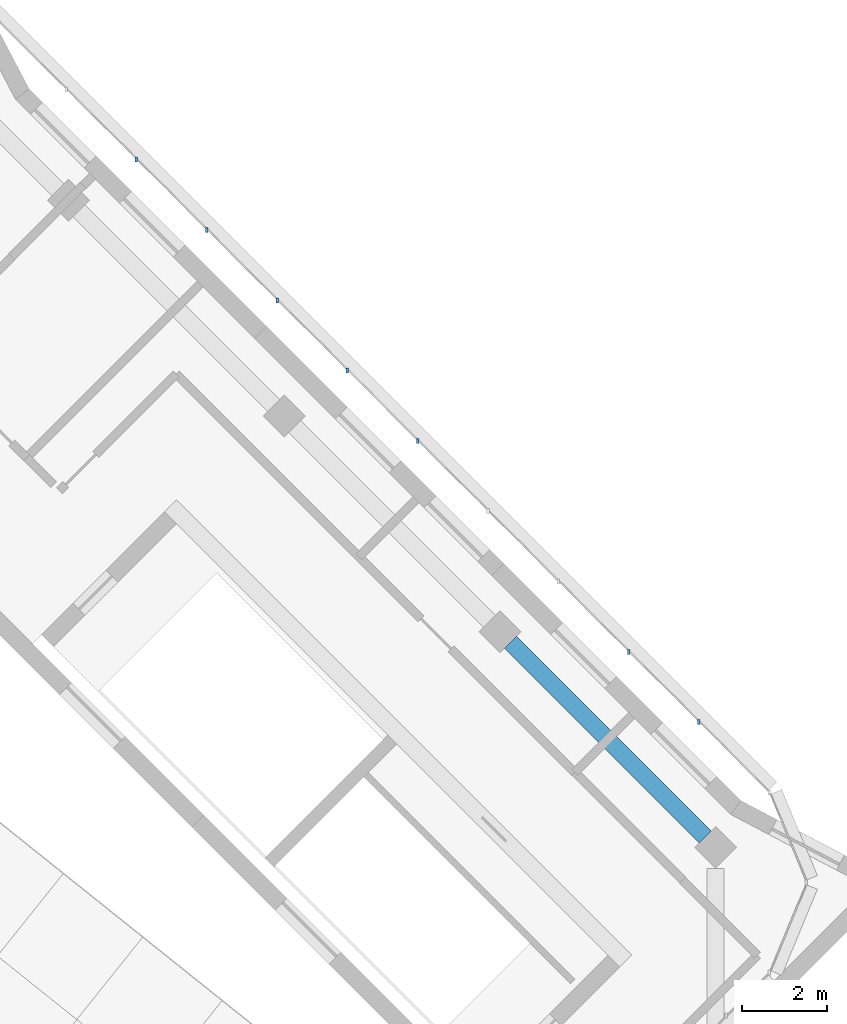
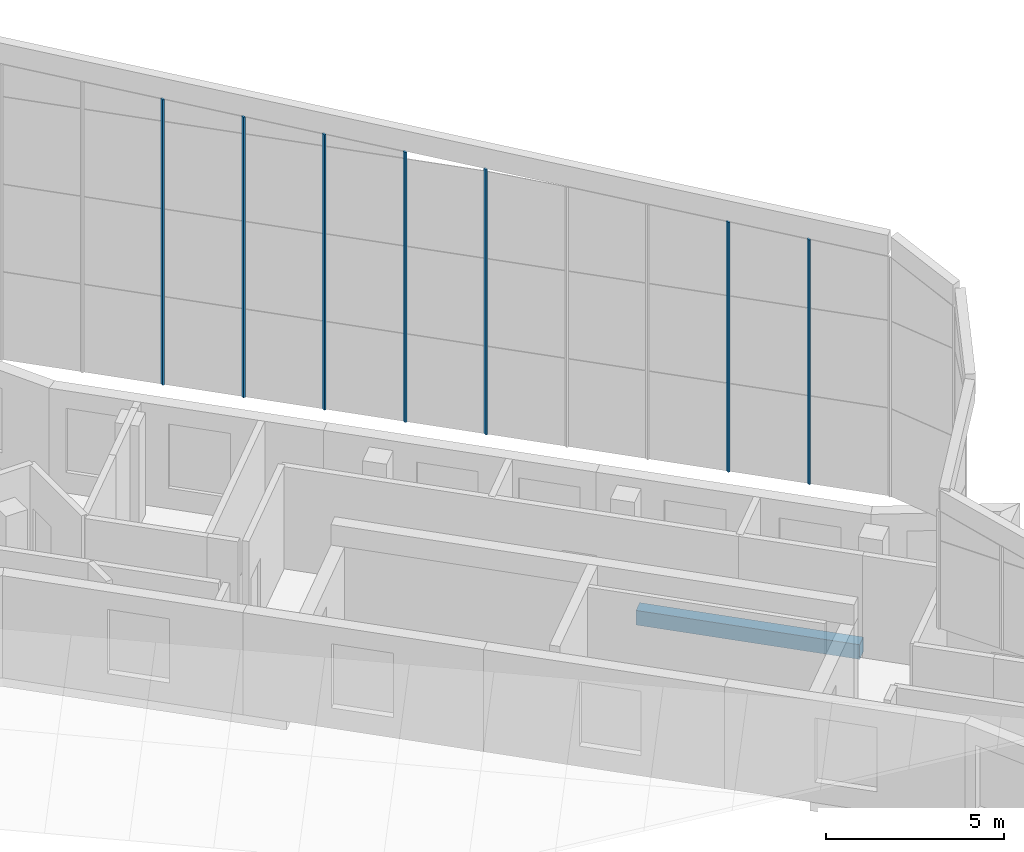
# One storey, part 3 of 9: 7 members, 1 beam, 1 element without a shape of its own.
"""IFC4 building model written with IfcOpenShell, lengths in metres."""

from ifc_helpers import new_model, si_unit, direction, frame, origin, origin_2d, place, context, subcontext, project, spatial, rectangle, extrude, material, material_profile, profile_set, type_object, element, aggregate, save


model = new_model("IFC4")

# Units and contexts
model_context = context("Model", 3, precision=1e-05, world=origin(), true_north=direction((0.0, 1.0)))
body_context = subcontext(model_context, "Body", "Model", "MODEL_VIEW")
ifc_project = project(units=[si_unit("LENGTHUNIT", "METRE"), si_unit("AREAUNIT", "SQUARE_METRE"), si_unit("VOLUMEUNIT", "CUBIC_METRE"), si_unit("PLANEANGLEUNIT", "RADIAN"), si_unit("MASSUNIT", "GRAM", prefix="KILO")], contexts=[model_context])

# Site, building, storey
site_placement = place(None, origin())
site = spatial("IfcSite", under=ifc_project, at=site_placement, CompositionType="ELEMENT")
building_placement = place(site_placement, origin())
building = spatial("IfcBuilding", under=site, at=building_placement, Name="Windrow Commons", CompositionType="ELEMENT")
storey_placement = place(building_placement, frame((0.0, 0.0, 309.6)))
storey = spatial("IfcBuildingStorey", under=building, at=storey_placement, Name="L84", CompositionType="ELEMENT", Elevation=309.6)

# Curtain wall, members
ifc_material_1 = material(Name="Laminated glass in anodised aluminium frame", Category="aluminium")
curtain_wall_type = type_object("IfcCurtainWallType", Name="Curtain wall crown terrace screen", PredefinedType="USERDEFINED", material=ifc_material_1)
curtain_wall_placement = place(storey_placement, origin())
curtain_wall = element("IfcCurtainWall", 1, at=curtain_wall_placement, inside=storey, type_object=curtain_wall_type, Name="Glazed crown screen L84", ObjectType="STICK", PredefinedType="USERDEFINED")
ifc_material_2 = material(Name="Anodised aluminium", Category="aluminium")
ifc_material_profile_1 = material_profile(ifc_material_2, rectangle(XDim=0.06, YDim=0.12, at=origin_2d()))
ifc_profile_set_1 = profile_set([ifc_material_profile_1], Name="Anodised aluminium")
member_type = type_object("IfcMemberType", Name="Crown screen mullion 60x120", PredefinedType="MULLION", material=ifc_profile_set_1)
member_1_placement = place(storey_placement, frame((85.8961, 67.8637, 3.5), z_axis=(0.0, 0.0, 1.0), x_axis=(1.0, 0.0, 0.0)))
member_1 = element("IfcMember", 2, at=member_1_placement, type_object=member_type, Name="Crown screen mullion L84", PredefinedType="MULLION", context=body_context, shape_type="SweptSolid", body=[
    extrude(rectangle(XDim=0.06, YDim=0.12, at=origin_2d()), origin(), (0.0, 0.0, 1.0), 9.7822),
])
member_2_placement = place(storey_placement, frame((87.5552, 66.2046, 3.5), z_axis=(0.0, 0.0, 1.0), x_axis=(1.0, 0.0, 0.0)))
member_2 = element("IfcMember", 3, at=member_2_placement, type_object=member_type, Name="Crown screen mullion L84", PredefinedType="MULLION", context=body_context, shape_type="SweptSolid", body=[
    extrude(rectangle(XDim=0.06, YDim=0.12, at=origin_2d()), origin(), (0.0, 0.0, 1.0), 9.6075),
])
member_3_placement = place(storey_placement, frame((89.2143, 64.5454, 3.5), z_axis=(0.0, 0.0, 1.0), x_axis=(1.0, 0.0, 0.0)))
member_3 = element("IfcMember", 4, at=member_3_placement, type_object=member_type, Name="Crown screen mullion L84", PredefinedType="MULLION", context=body_context, shape_type="SweptSolid", body=[
    extrude(rectangle(XDim=0.06, YDim=0.12, at=origin_2d()), origin(), (0.0, 0.0, 1.0), 9.4327),
])
member_4_placement = place(storey_placement, frame((90.8734, 62.8863, 3.5), z_axis=(0.0, 0.0, 1.0), x_axis=(1.0, 0.0, 0.0)))
member_4 = element("IfcMember", 5, at=member_4_placement, type_object=member_type, Name="Crown screen mullion L84", PredefinedType="MULLION", context=body_context, shape_type="SweptSolid", body=[
    extrude(rectangle(XDim=0.06, YDim=0.12, at=origin_2d()), origin(), (0.0, 0.0, 1.0), 9.2579),
])
member_5_placement = place(storey_placement, frame((92.5325, 61.2272, 3.5), z_axis=(0.0, 0.0, 1.0), x_axis=(1.0, 0.0, 0.0)))
member_5 = element("IfcMember", 6, at=member_5_placement, type_object=member_type, Name="Crown screen mullion L84", PredefinedType="MULLION", context=body_context, shape_type="SweptSolid", body=[
    extrude(rectangle(XDim=0.06, YDim=0.12, at=origin_2d()), origin(), (0.0, 0.0, 1.0), 9.0832),
])
member_6_placement = place(storey_placement, frame((97.5098, 56.2499, 3.5), z_axis=(0.0, 0.0, 1.0), x_axis=(1.0, 0.0, 0.0)))
member_6 = element("IfcMember", 7, at=member_6_placement, type_object=member_type, Name="Crown screen mullion L84", PredefinedType="MULLION", context=body_context, shape_type="SweptSolid", body=[
    extrude(rectangle(XDim=0.06, YDim=0.12, at=origin_2d()), origin(), (0.0, 0.0, 1.0), 8.5588),
])
member_7_placement = place(storey_placement, frame((99.169, 54.5908, 3.5), z_axis=(0.0, 0.0, 1.0), x_axis=(1.0, 0.0, 0.0)))
member_7 = element("IfcMember", 8, at=member_7_placement, type_object=member_type, Name="Crown screen mullion L84", PredefinedType="MULLION", context=body_context, shape_type="SweptSolid", body=[
    extrude(rectangle(XDim=0.06, YDim=0.12, at=origin_2d()), origin(), (0.0, 0.0, 1.0), 8.3841),
])
aggregate(curtain_wall, [member_1, member_2, member_3, member_4, member_5, member_6, member_7])

# Beam
ifc_material_3 = material(Name="Concrete C40/50", Category="concrete")
ifc_material_profile_2 = material_profile(ifc_material_3, rectangle(XDim=0.4, YDim=0.5, at=origin_2d()))
ifc_profile_set_2 = profile_set([ifc_material_profile_2], Name="Concrete C40/50")
beam_type = type_object("IfcBeamType", Name="RC EDGE BEAM 400x500 C40/50", PredefinedType="SPANDREL", material=ifc_profile_set_2)
beam_placement = place(storey_placement, frame((94.721, 56.479, -0.55), z_axis=(0.7071067812, -0.7071067812, 0.0), x_axis=(0.7071067812, 0.7071067812, 0.0)))
element("IfcBeam", 9, at=beam_placement, inside=storey, type_object=beam_type, Name="Edge beam L84 005", PredefinedType="SPANDREL", context=body_context, shape_type="SweptSolid", body=[
    extrude(rectangle(XDim=0.4, YDim=0.5, at=origin_2d()), origin(), (0.0, 0.0, 1.0), 6.5),
])

save(model, "model.ifc")
